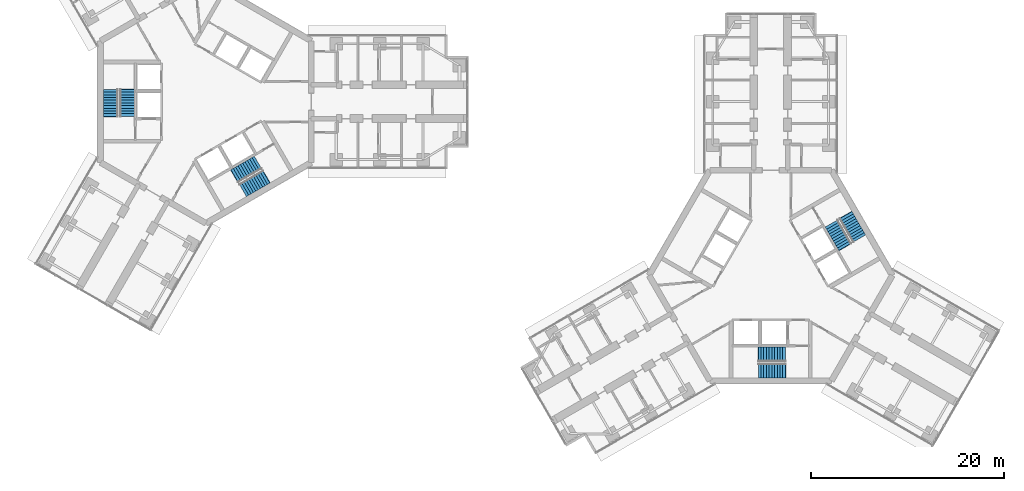
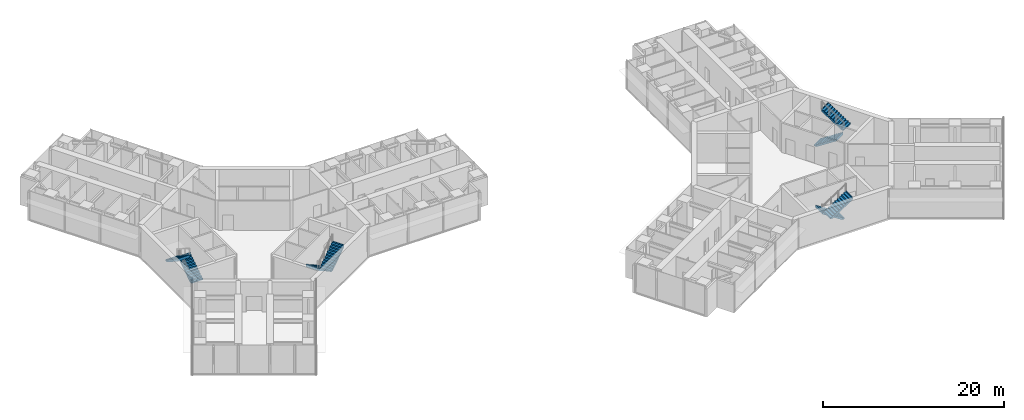
# One storey, part 21 of 22: 8 stair flights, 4 elements without a shape of their own.
"""IFC4 building model written with IfcOpenShell, lengths in metres."""

import ifcopenshell
import ifcopenshell.guid

model = None  # the IFC model being written
_history = None  # IfcOwnerHistory: only IFC2X3 demands one
_inside = {}  # id of a spatial element -> (the spatial element, [elements in it])
_under = {}  # id of a project, library or spatial element -> (it, [spatial elements below it])
_declared = {}  # id of a project -> (the project, [libraries it declares])
_typed = {}  # id of a type object -> (the type object, [elements of that type])
_made_of = {}  # id of a material, layer set ... -> (it, [elements and type objects made of it])


def new_model(schema):
    """Start an empty IFC model of exactly this schema.

    Asked for "IFC4X3", IfcOpenShell would pick the latest addendum, in which some entities
    have other attributes; the version numbers below select the first issue.
    IFC2X3 requires an IfcOwnerHistory on every rooted entity: one is made here for all.
    """
    global model, _history
    if schema == "IFC4X3":
        model = ifcopenshell.file(schema_version=(4, 3, 0, 0))
    else:
        model = ifcopenshell.file(schema=schema)
    _inside.clear()
    _under.clear()
    _declared.clear()
    _typed.clear()
    _made_of.clear()
    _history = None
    if model.schema == "IFC2X3":
        org = make("IfcOrganization", Name="unknown")
        user = make(
            "IfcPersonAndOrganization",
            ThePerson=make("IfcPerson", FamilyName="unknown"),
            TheOrganization=org,
        )
        app = make(
            "IfcApplication",
            ApplicationDeveloper=org,
            Version="unknown",
            ApplicationFullName="unknown",
            ApplicationIdentifier="unknown",
        )
        _history = make(
            "IfcOwnerHistory",
            OwningUser=user,
            OwningApplication=app,
            ChangeAction="ADDED",
            CreationDate=0,
        )
    return model


def make(cls, **values):
    """One entity of the class cls with the attributes given. An attribute that is None is left unset."""
    return model.create_entity(
        cls, **{name: value for name, value in values.items() if value is not None}
    )


def rooted(cls, **values):
    """An entity with a GlobalId (a new one), such as an element, a storey or a relation."""
    return make(cls, GlobalId=ifcopenshell.guid.new(), OwnerHistory=_history, **values)


def si_unit(unit_type, name, prefix=None):
    """IfcSIUnit, for example si_unit("LENGTHUNIT", "METRE", prefix="MILLI")."""
    return make("IfcSIUnit", UnitType=unit_type, Prefix=prefix, Name=name)


def assignment(units):
    """IfcUnitAssignment: the units of a project."""
    return None if units is None else make("IfcUnitAssignment", Units=units)


def point(xyz):
    """IfcCartesianPoint."""
    return None if xyz is None else make("IfcCartesianPoint", Coordinates=xyz)


def direction(xyz):
    """IfcDirection."""
    return None if xyz is None else make("IfcDirection", DirectionRatios=xyz)


def frame(location, z_axis=None, x_axis=None):
    """IfcAxis2Placement3D, a coordinate frame: its origin and axes. An axis left out is left unset."""
    return make(
        "IfcAxis2Placement3D",
        Location=point(location),
        Axis=direction(z_axis),
        RefDirection=direction(x_axis),
    )


def origin():
    """The frame at (0, 0, 0) with its axes left unset."""
    return frame((0.0, 0.0, 0.0))


def place(relative_to, where):
    """IfcLocalPlacement: puts the frame where relative to a parent placement (None: the world)."""
    return make(
        "IfcLocalPlacement", PlacementRelTo=relative_to, RelativePlacement=where
    )


def context(
    kind, dimensions, precision=None, world=None, true_north=None, identifier=None
):
    """IfcGeometricRepresentationContext, for example the 3D "Model" context."""
    return make(
        "IfcGeometricRepresentationContext",
        ContextIdentifier=identifier,
        ContextType=kind,
        CoordinateSpaceDimension=dimensions,
        Precision=precision,
        WorldCoordinateSystem=world,
        TrueNorth=true_north,
    )


def subcontext(parent, identifier, kind, view, scale=None):
    """IfcGeometricRepresentationSubContext, for example "Body" below "Model"."""
    return make(
        "IfcGeometricRepresentationSubContext",
        ContextIdentifier=identifier,
        ContextType=kind,
        ParentContext=parent,
        TargetScale=scale,
        TargetView=view,
    )


def project(units=None, contexts=None):
    """IfcProject with its units and contexts."""
    return rooted(
        "IfcProject",
        Name="project",
        RepresentationContexts=contexts,
        UnitsInContext=assignment(units),
    )


def spatial(cls, under=None, at=None, **own):
    """A site, building, storey or space (cls), placed at a placement, below another one or the project."""
    s = rooted(cls, ObjectPlacement=at, **own)
    if under is not None:
        _under.setdefault(under.id(), (under, []))[1].append(s)
    return s


def polyline(points):
    """IfcPolyline through the points."""
    return make("IfcPolyline", Points=[point(p) for p in points])


def outline(outer, holes=None, kind="AREA"):
    """IfcArbitraryClosedProfileDef: a profile drawn as a closed curve; with holes, ...WithVoids."""
    if holes is None:
        return make("IfcArbitraryClosedProfileDef", ProfileType=kind, OuterCurve=outer)
    return make(
        "IfcArbitraryProfileDefWithVoids",
        ProfileType=kind,
        OuterCurve=outer,
        InnerCurves=holes,
    )


def extrude(swept, where, along, depth):
    """IfcExtrudedAreaSolid: the profile swept, set in the frame where, extruded along a direction by depth."""
    return make(
        "IfcExtrudedAreaSolid",
        SweptArea=swept,
        Position=where,
        ExtrudedDirection=direction(along),
        Depth=depth,
    )


def shape(context_of_items, identifier, shape_type, items):
    """IfcShapeRepresentation: the items that make up one representation, for example the "Body"."""
    return make(
        "IfcShapeRepresentation",
        ContextOfItems=context_of_items,
        RepresentationIdentifier=identifier,
        RepresentationType=shape_type,
        Items=items,
    )


def material(Name=None, Category=None):
    """IfcMaterial."""
    return make("IfcMaterial", Name=Name, Category=Category)


def made_of(thing, what):
    """Note that an element or type object is made of a material, layer set ...; save() writes the relation."""
    if what is not None:
        _made_of.setdefault(what.id(), (what, []))[1].append(thing)
    return thing


def type_object(cls, material=None, **own):
    """A type object (cls), such as IfcWallType, which elements share."""
    return made_of(rooted(cls, **own), material)


def element(
    cls,
    number,
    at=None,
    inside=None,
    cuts=None,
    type_object=None,
    material=None,
    context=None,
    identifier="Body",
    shape_type=None,
    held_by="IfcProductDefinitionShape",
    body=None,
    shapes=None,
    **own,
):
    """One element of the class cls, such as IfcWall. Its Tag is "e" and its number.

    at: its placement. inside: the storey or other place that contains it. cuts: it is an
    opening in that element (IfcRelVoidsElement). A single representation is given by context,
    identifier, shape_type and body (its items); several are given by shapes. held_by: the class
    of the entity that holds the representations. save() writes the other relations.
    """
    e = rooted(cls, Tag="e%d" % number, ObjectPlacement=at, **own)
    if body is not None:
        shapes = [shape(context, identifier, shape_type, body)]
    if shapes is not None:
        e.Representation = make(held_by, Representations=shapes)
    if inside is not None:
        _inside.setdefault(inside.id(), (inside, []))[1].append(e)
    if cuts is not None:
        rooted(
            "IfcRelVoidsElement", RelatingBuildingElement=cuts, RelatedOpeningElement=e
        )
    if type_object is not None:
        _typed.setdefault(type_object.id(), (type_object, []))[1].append(e)
    return made_of(e, material)


def aggregate(whole, parts):
    """IfcRelAggregates: a whole, such as a stair, and the parts it consists of."""
    return rooted("IfcRelAggregates", RelatingObject=whole, RelatedObjects=parts)


def save(model, path):
    """Write the relations noted so far, then the file.

    IfcRelAggregates (storeys below a building ...), IfcRelContainedInSpatialStructure (elements
    in a storey), IfcRelDefinesByType, IfcRelAssociatesMaterial and IfcRelDeclares: one each for
    every whole, place, type object, material and project.
    """
    for whole, parts in _under.values():
        aggregate(whole, parts)
    for where, things in _inside.values():
        rooted(
            "IfcRelContainedInSpatialStructure",
            RelatedElements=things,
            RelatingStructure=where,
        )
    for kind, things in _typed.values():
        rooted("IfcRelDefinesByType", RelatedObjects=things, RelatingType=kind)
    for what, things in _made_of.values():
        rooted("IfcRelAssociatesMaterial", RelatedObjects=things, RelatingMaterial=what)
    for by, libraries in _declared.values():
        rooted("IfcRelDeclares", RelatingContext=by, RelatedDefinitions=libraries)
    model.write(path)


model = new_model("IFC4")

# Units and contexts
model_context = context("Model", 3, precision=1e-05, world=origin(), true_north=direction((0.0, 1.0)))
body_context = subcontext(model_context, "Body", "Model", "MODEL_VIEW")
ifc_project = project(units=[si_unit("LENGTHUNIT", "METRE"), si_unit("AREAUNIT", "SQUARE_METRE"), si_unit("VOLUMEUNIT", "CUBIC_METRE"), si_unit("PLANEANGLEUNIT", "RADIAN"), si_unit("MASSUNIT", "GRAM", prefix="KILO")], contexts=[model_context])

# Site, building, storey
site_placement = place(None, origin())
site = spatial("IfcSite", under=ifc_project, at=site_placement, CompositionType="ELEMENT")
building_placement = place(site_placement, origin())
building = spatial("IfcBuilding", under=site, at=building_placement, Name="Upepo Twin Towers", CompositionType="ELEMENT")
storey_placement = place(building_placement, frame((0.0, 0.0, 133.5)))
storey = spatial("IfcBuildingStorey", under=building, at=storey_placement, Name="L32", CompositionType="ELEMENT", Elevation=133.5)

# Stair, stair flights
ifc_material_1 = material(Name="Concrete C40/50", Category="concrete")
stair_type = type_object("IfcStairType", Name="Core stair, two flights", PredefinedType="HALF_TURN_STAIR", material=ifc_material_1)
stair_1_placement = place(storey_placement, origin())
stair_1 = element("IfcStair", 1, at=stair_1_placement, inside=storey, type_object=stair_type, Name="T1 stair S1 L32", PredefinedType="HALF_TURN_STAIR")
ifc_material_2 = material(Name="Concrete C40/50", Category="concrete")
stair_flight_type = type_object("IfcStairFlightType", Name="Stair flight 1500 RC", PredefinedType="STRAIGHT", material=ifc_material_2)
stair_flight_1_placement = place(storey_placement, frame((-8.14990234375, -1.52001953125, 0.0), z_axis=(0.0, 0.0, 1.0), x_axis=(0.0, 1.0, 0.0)))
stair_flight_1 = element("IfcStairFlight", 2, at=stair_flight_1_placement, type_object=stair_flight_type, Name="Stair S1 flight 1", NumberOfRisers=11, NumberOfTreads=10, PredefinedType="STRAIGHT", RiserHeight=0.181818182, TreadLength=0.28, context=body_context, shape_type="SweptSolid", body=[
    extrude(outline(polyline([(0.0, 0.0), (0.0, 0.181884765625), (0.280029296875, 0.181884765625), (0.280029296875, 0.363525390625), (0.56005859375, 0.363525390625), (0.56005859375, 0.54541015625), (0.840087890625, 0.54541015625), (0.840087890625, 0.727294921875), (1.1201171875, 0.727294921875), (1.1201171875, 0.9091796875), (1.39990234375, 0.9091796875), (1.39990234375, 1.0908203125), (1.679931640625, 1.0908203125), (1.679931640625, 1.272705078125), (1.9599609375, 1.272705078125), (1.9599609375, 1.45458984375), (2.239990234375, 1.45458984375), (2.239990234375, 1.636474609375), (2.52001953125, 1.636474609375), (2.52001953125, 1.818115234375), (2.800048828125, 1.818115234375), (2.800048828125, 2.0), (2.85009765625, 2.0), (2.85009765625, 1.639404296875), (0.3251953125, 0.0), (0.0, 0.0)])), frame((0.0, 0.75, 0.0), z_axis=(0.0, -1.0, 0.0), x_axis=(1.0, 0.0, 0.0)), (0.0, 0.0, 1.0), 1.5),
])
stair_flight_2_placement = place(storey_placement, frame((-9.8583984375, 1.280029296875, 2.0), z_axis=(0.0, 0.0, 1.0), x_axis=(0.0, -1.0, 0.0)))
stair_flight_2 = element("IfcStairFlight", 3, at=stair_flight_2_placement, type_object=stair_flight_type, Name="Stair S1 flight 2", NumberOfRisers=11, NumberOfTreads=10, PredefinedType="STRAIGHT", RiserHeight=0.181818182, TreadLength=0.28, context=body_context, shape_type="SweptSolid", body=[
    extrude(outline(polyline([(0.0, 0.0), (0.0, 0.181884765625), (0.280029296875, 0.181884765625), (0.280029296875, 0.363525390625), (0.56005859375, 0.363525390625), (0.56005859375, 0.54541015625), (0.840087890625, 0.54541015625), (0.840087890625, 0.727294921875), (1.1201171875, 0.727294921875), (1.1201171875, 0.9091796875), (1.39990234375, 0.9091796875), (1.39990234375, 1.0908203125), (1.679931640625, 1.0908203125), (1.679931640625, 1.272705078125), (1.9599609375, 1.272705078125), (1.9599609375, 1.45458984375), (2.239990234375, 1.45458984375), (2.239990234375, 1.636474609375), (2.52001953125, 1.636474609375), (2.52001953125, 1.818115234375), (2.800048828125, 1.818115234375), (2.800048828125, 2.0), (2.85009765625, 2.0), (2.85009765625, 1.639404296875), (0.3251953125, 0.0), (0.0, 0.0)])), frame((0.0, 0.75, 0.0), z_axis=(0.0, -1.0, 0.0), x_axis=(1.0, 0.0, 0.0)), (0.0, 0.0, 1.0), 1.5),
])
aggregate(stair_1, [stair_flight_1, stair_flight_2])

stair_2_placement = place(storey_placement, origin())
stair_2 = element("IfcStair", 4, at=stair_2_placement, inside=storey, type_object=stair_type, Name="T1 stair S2 L32", PredefinedType="HALF_TURN_STAIR")
stair_flight_3_placement = place(storey_placement, frame((5.391357421875, -6.298095703125, 0.0), z_axis=(0.0, 0.0, 1.0), x_axis=(-0.866025403784, -0.5, 0.0)))
stair_flight_3 = element("IfcStairFlight", 5, at=stair_flight_3_placement, type_object=stair_flight_type, Name="Stair S2 flight 1", NumberOfRisers=11, NumberOfTreads=10, PredefinedType="STRAIGHT", RiserHeight=0.181818182, TreadLength=0.28, context=body_context, shape_type="SweptSolid", body=[
    extrude(outline(polyline([(0.0, 0.0), (0.0, 0.181884765625), (0.280029296875, 0.181884765625), (0.280029296875, 0.363525390625), (0.56005859375, 0.363525390625), (0.56005859375, 0.54541015625), (0.840087890625, 0.54541015625), (0.840087890625, 0.727294921875), (1.1201171875, 0.727294921875), (1.1201171875, 0.9091796875), (1.39990234375, 0.9091796875), (1.39990234375, 1.0908203125), (1.679931640625, 1.0908203125), (1.679931640625, 1.272705078125), (1.9599609375, 1.272705078125), (1.9599609375, 1.45458984375), (2.239990234375, 1.45458984375), (2.239990234375, 1.636474609375), (2.52001953125, 1.636474609375), (2.52001953125, 1.818115234375), (2.800048828125, 1.818115234375), (2.800048828125, 2.0), (2.85009765625, 2.0), (2.85009765625, 1.639404296875), (0.3251953125, 0.0), (0.0, 0.0)])), frame((0.0, 0.75, 0.0), z_axis=(0.0, -1.0, 0.0), x_axis=(1.0, 0.0, 0.0)), (0.0, 0.0, 1.0), 1.5),
])
stair_flight_4_placement = place(storey_placement, frame((3.820556640625, -9.177490234375, 2.0), z_axis=(0.0, 0.0, 1.0), x_axis=(0.866025403784, 0.5, 0.0)))
stair_flight_4 = element("IfcStairFlight", 6, at=stair_flight_4_placement, type_object=stair_flight_type, Name="Stair S2 flight 2", NumberOfRisers=11, NumberOfTreads=10, PredefinedType="STRAIGHT", RiserHeight=0.181818182, TreadLength=0.28, context=body_context, shape_type="SweptSolid", body=[
    extrude(outline(polyline([(0.0, 0.0), (0.0, 0.181884765625), (0.280029296875, 0.181884765625), (0.280029296875, 0.363525390625), (0.56005859375, 0.363525390625), (0.56005859375, 0.54541015625), (0.840087890625, 0.54541015625), (0.840087890625, 0.727294921875), (1.1201171875, 0.727294921875), (1.1201171875, 0.9091796875), (1.39990234375, 0.9091796875), (1.39990234375, 1.0908203125), (1.679931640625, 1.0908203125), (1.679931640625, 1.272705078125), (1.9599609375, 1.272705078125), (1.9599609375, 1.45458984375), (2.239990234375, 1.45458984375), (2.239990234375, 1.636474609375), (2.52001953125, 1.636474609375), (2.52001953125, 1.818115234375), (2.800048828125, 1.818115234375), (2.800048828125, 2.0), (2.85009765625, 2.0), (2.85009765625, 1.639404296875), (0.3251953125, 0.0), (0.0, 0.0)])), frame((0.0, 0.75, 0.0), z_axis=(0.0, -1.0, 0.0), x_axis=(1.0, 0.0, 0.0)), (0.0, 0.0, 1.0), 1.5),
])
aggregate(stair_2, [stair_flight_3, stair_flight_4])

stair_3_placement = place(storey_placement, origin())
stair_3 = element("IfcStair", 7, at=stair_3_placement, inside=storey, type_object=stair_type, Name="T2 stair S1 L32", PredefinedType="HALF_TURN_STAIR")
stair_flight_5_placement = place(storey_placement, frame((60.02001953125, -26.14990234375, 0.0), z_axis=(0.0, 0.0, 1.0), x_axis=(-1.0, 0.0, 0.0)))
stair_flight_5 = element("IfcStairFlight", 8, at=stair_flight_5_placement, type_object=stair_flight_type, Name="Stair S1 flight 1", NumberOfRisers=11, NumberOfTreads=10, PredefinedType="STRAIGHT", RiserHeight=0.181818182, TreadLength=0.28, context=body_context, shape_type="SweptSolid", body=[
    extrude(outline(polyline([(0.0, 0.0), (0.0, 0.181884765625), (0.280029296875, 0.181884765625), (0.280029296875, 0.363525390625), (0.56005859375, 0.363525390625), (0.56005859375, 0.54541015625), (0.840087890625, 0.54541015625), (0.840087890625, 0.727294921875), (1.1201171875, 0.727294921875), (1.1201171875, 0.9091796875), (1.39990234375, 0.9091796875), (1.39990234375, 1.0908203125), (1.679931640625, 1.0908203125), (1.679931640625, 1.272705078125), (1.9599609375, 1.272705078125), (1.9599609375, 1.45458984375), (2.239990234375, 1.45458984375), (2.239990234375, 1.636474609375), (2.52001953125, 1.636474609375), (2.52001953125, 1.818115234375), (2.800048828125, 1.818115234375), (2.800048828125, 2.0), (2.85009765625, 2.0), (2.85009765625, 1.639404296875), (0.3251953125, 0.0), (0.0, 0.0)])), frame((0.0, 0.75, 0.0), z_axis=(0.0, -1.0, 0.0), x_axis=(1.0, 0.0, 0.0)), (0.0, 0.0, 1.0), 1.5),
])
stair_flight_6_placement = place(storey_placement, frame((57.219970703125, -27.8583984375, 2.0), z_axis=(0.0, 0.0, 1.0), x_axis=(1.0, 0.0, 0.0)))
stair_flight_6 = element("IfcStairFlight", 9, at=stair_flight_6_placement, type_object=stair_flight_type, Name="Stair S1 flight 2", NumberOfRisers=11, NumberOfTreads=10, PredefinedType="STRAIGHT", RiserHeight=0.181818182, TreadLength=0.28, context=body_context, shape_type="SweptSolid", body=[
    extrude(outline(polyline([(0.0, 0.0), (0.0, 0.181884765625), (0.280029296875, 0.181884765625), (0.280029296875, 0.363525390625), (0.56005859375, 0.363525390625), (0.56005859375, 0.54541015625), (0.840087890625, 0.54541015625), (0.840087890625, 0.727294921875), (1.1201171875, 0.727294921875), (1.1201171875, 0.9091796875), (1.39990234375, 0.9091796875), (1.39990234375, 1.0908203125), (1.679931640625, 1.0908203125), (1.679931640625, 1.272705078125), (1.9599609375, 1.272705078125), (1.9599609375, 1.45458984375), (2.239990234375, 1.45458984375), (2.239990234375, 1.636474609375), (2.52001953125, 1.636474609375), (2.52001953125, 1.818115234375), (2.800048828125, 1.818115234375), (2.800048828125, 2.0), (2.85009765625, 2.0), (2.85009765625, 1.639404296875), (0.3251953125, 0.0), (0.0, 0.0)])), frame((0.0, 0.75, 0.0), z_axis=(0.0, -1.0, 0.0), x_axis=(1.0, 0.0, 0.0)), (0.0, 0.0, 1.0), 1.5),
])
aggregate(stair_3, [stair_flight_5, stair_flight_6])

stair_4_placement = place(storey_placement, origin())
stair_4 = element("IfcStair", 10, at=stair_4_placement, inside=storey, type_object=stair_type, Name="T2 stair S2 L32", PredefinedType="HALF_TURN_STAIR")
stair_flight_7_placement = place(storey_placement, frame((64.798095703125, -12.608642578125, 0.0), z_axis=(0.0, 0.0, 1.0), x_axis=(0.5, -0.866025403784, 0.0)))
stair_flight_7 = element("IfcStairFlight", 11, at=stair_flight_7_placement, type_object=stair_flight_type, Name="Stair S2 flight 1", NumberOfRisers=11, NumberOfTreads=10, PredefinedType="STRAIGHT", RiserHeight=0.181818182, TreadLength=0.28, context=body_context, shape_type="SweptSolid", body=[
    extrude(outline(polyline([(0.0, 0.0), (0.0, 0.181884765625), (0.280029296875, 0.181884765625), (0.280029296875, 0.363525390625), (0.56005859375, 0.363525390625), (0.56005859375, 0.54541015625), (0.840087890625, 0.54541015625), (0.840087890625, 0.727294921875), (1.1201171875, 0.727294921875), (1.1201171875, 0.9091796875), (1.39990234375, 0.9091796875), (1.39990234375, 1.0908203125), (1.679931640625, 1.0908203125), (1.679931640625, 1.272705078125), (1.9599609375, 1.272705078125), (1.9599609375, 1.45458984375), (2.239990234375, 1.45458984375), (2.239990234375, 1.636474609375), (2.52001953125, 1.636474609375), (2.52001953125, 1.818115234375), (2.800048828125, 1.818115234375), (2.800048828125, 2.0), (2.85009765625, 2.0), (2.85009765625, 1.639404296875), (0.3251953125, 0.0), (0.0, 0.0)])), frame((0.0, 0.75, 0.0), z_axis=(0.0, -1.0, 0.0), x_axis=(1.0, 0.0, 0.0)), (0.0, 0.0, 1.0), 1.5),
])
stair_flight_8_placement = place(storey_placement, frame((67.677490234375, -14.179443359375, 2.0), z_axis=(0.0, 0.0, 1.0), x_axis=(-0.5, 0.866025403784, 0.0)))
stair_flight_8 = element("IfcStairFlight", 12, at=stair_flight_8_placement, type_object=stair_flight_type, Name="Stair S2 flight 2", NumberOfRisers=11, NumberOfTreads=10, PredefinedType="STRAIGHT", RiserHeight=0.181818182, TreadLength=0.28, context=body_context, shape_type="SweptSolid", body=[
    extrude(outline(polyline([(0.0, 0.0), (0.0, 0.181884765625), (0.280029296875, 0.181884765625), (0.280029296875, 0.363525390625), (0.56005859375, 0.363525390625), (0.56005859375, 0.54541015625), (0.840087890625, 0.54541015625), (0.840087890625, 0.727294921875), (1.1201171875, 0.727294921875), (1.1201171875, 0.9091796875), (1.39990234375, 0.9091796875), (1.39990234375, 1.0908203125), (1.679931640625, 1.0908203125), (1.679931640625, 1.272705078125), (1.9599609375, 1.272705078125), (1.9599609375, 1.45458984375), (2.239990234375, 1.45458984375), (2.239990234375, 1.636474609375), (2.52001953125, 1.636474609375), (2.52001953125, 1.818115234375), (2.800048828125, 1.818115234375), (2.800048828125, 2.0), (2.85009765625, 2.0), (2.85009765625, 1.639404296875), (0.3251953125, 0.0), (0.0, 0.0)])), frame((0.0, 0.75, 0.0), z_axis=(0.0, -1.0, 0.0), x_axis=(1.0, 0.0, 0.0)), (0.0, 0.0, 1.0), 1.5),
])
aggregate(stair_4, [stair_flight_7, stair_flight_8])

save(model, "model.ifc")
